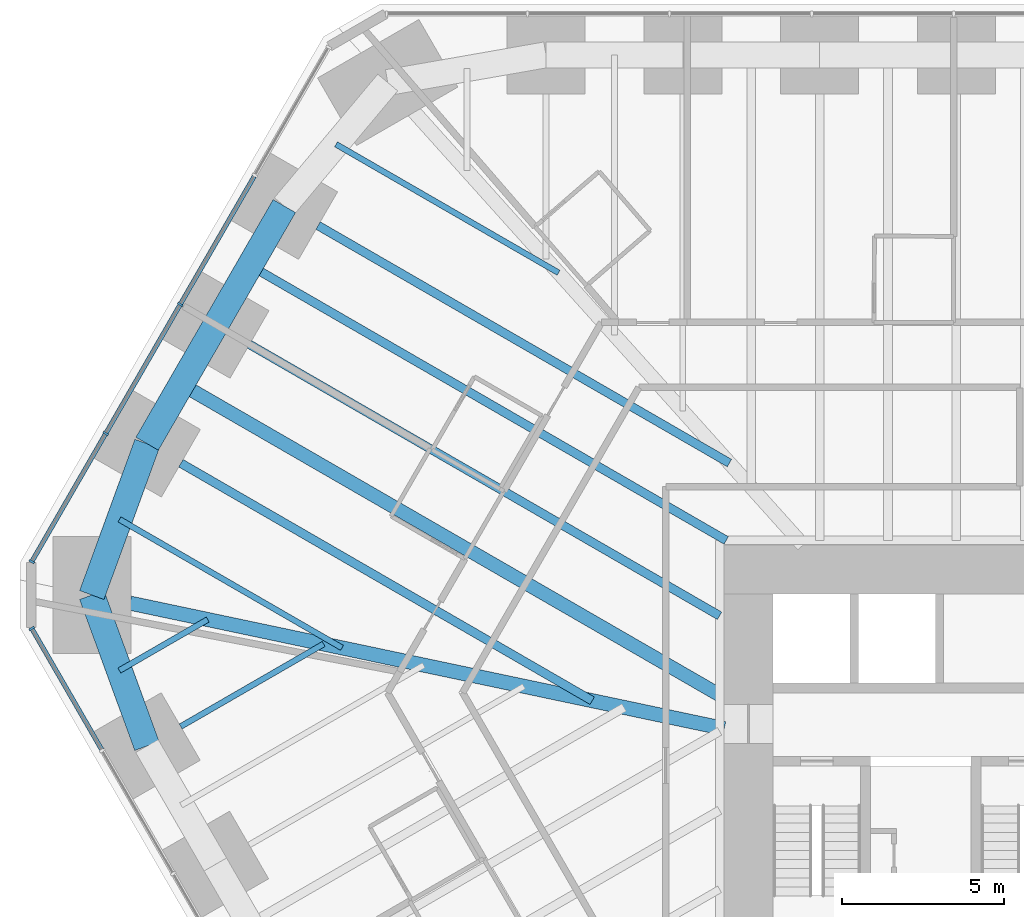
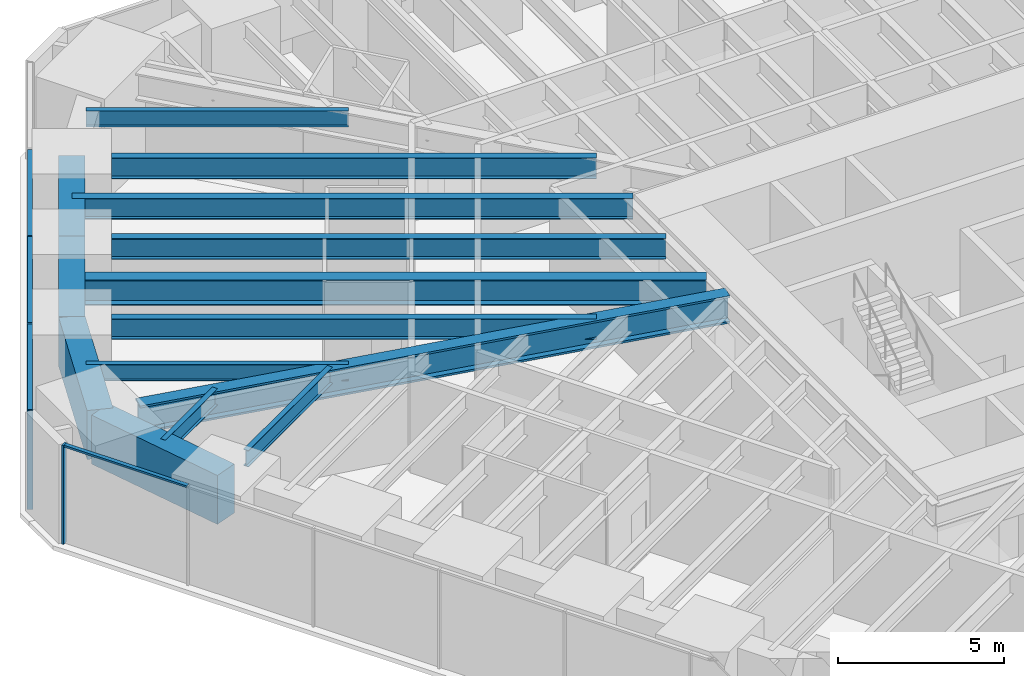
# One storey, part 7 of 17: 14 beams, 8 members, 2 elements without a shape of their own.
"""IFC4 building model written with IfcOpenShell, lengths in metres."""

from ifc_helpers import new_model, si_unit, direction, frame, origin, origin_2d, place, context, subcontext, project, spatial, rectangle, i_section, extrude, material, material_profile, profile_set, type_object, element, aggregate, save


model = new_model("IFC4")

# Units and contexts
model_context = context("Model", 3, precision=1e-05, world=origin(), true_north=direction((0.0, 1.0)))
body_context = subcontext(model_context, "Body", "Model", "MODEL_VIEW")
ifc_project = project(units=[si_unit("LENGTHUNIT", "METRE"), si_unit("AREAUNIT", "SQUARE_METRE"), si_unit("VOLUMEUNIT", "CUBIC_METRE"), si_unit("PLANEANGLEUNIT", "RADIAN"), si_unit("MASSUNIT", "GRAM", prefix="KILO")], contexts=[model_context])

# Site, building, storey
site_placement = place(None, origin())
site = spatial("IfcSite", under=ifc_project, at=site_placement, CompositionType="ELEMENT")
building_placement = place(site_placement, origin())
building = spatial("IfcBuilding", under=site, at=building_placement, Name="Sandreach Pilgrim Tower", CompositionType="ELEMENT")
storey_placement = place(building_placement, frame((0.0, 0.0, 38.199951171875)))
storey = spatial("IfcBuildingStorey", under=building, at=storey_placement, Name="L08", CompositionType="ELEMENT", Elevation=38.199951171875)

# Curtain wall, member
ifc_material_1 = material(Name="Aluminium framed curtain wall", Category="aluminium")
curtain_wall_type = type_object("IfcCurtainWallType", Name="Hostel tower curtain wall", PredefinedType="NOTDEFINED", material=ifc_material_1)
curtain_wall_1_placement = place(storey_placement, origin())
curtain_wall_1 = element("IfcCurtainWall", 1, at=curtain_wall_1_placement, inside=storey, type_object=curtain_wall_type, Name="CW-1 L08 SW", PredefinedType="NOTDEFINED")
ifc_material_2 = material(Name="Aluminium extrusion", Category="aluminium")
ifc_material_profile_1 = material_profile(ifc_material_2, rectangle(XDim=0.06494140625, YDim=0.179931640625, at=origin_2d()), Name="CW-1M 65X180")
ifc_profile_set_1 = profile_set([ifc_material_profile_1], Name="Aluminium extrusion")
member_type_1 = type_object("IfcMemberType", Name="CW-1 mullion", PredefinedType="MULLION", material=ifc_profile_set_1)
member_1_placement = place(storey_placement, frame((-30.56005859375, 5.033935546875, 0.0), z_axis=(0.0, 0.0, 1.0), x_axis=(-0.5, 0.866025403784, 0.0)))
member_1 = element("IfcMember", 2, at=member_1_placement, type_object=member_type_1, Name="CW-1 mullion 10", PredefinedType="MULLION", context=body_context, shape_type="SweptSolid", body=[
    extrude(rectangle(XDim=0.06494140625, YDim=0.179931640625, at=origin_2d()), origin(), (0.0, 0.0, 1.0), 3.64013671875),
])

# Curtain wall, members
curtain_wall_2_placement = place(storey_placement, origin())
curtain_wall_2 = element("IfcCurtainWall", 3, at=curtain_wall_2_placement, inside=storey, type_object=curtain_wall_type, Name="CW-1 L08 NW", PredefinedType="NOTDEFINED")
member_2_placement = place(storey_placement, frame((-30.56005859375, 7.09033203125, 0.0), z_axis=(0.0, 0.0, 1.0), x_axis=(0.5, 0.866025403784, 0.0)))
member_2 = element("IfcMember", 4, at=member_2_placement, type_object=member_type_1, Name="CW-1 mullion 1", PredefinedType="MULLION", context=body_context, shape_type="SweptSolid", body=[
    extrude(rectangle(XDim=0.06494140625, YDim=0.179931640625, at=origin_2d()), origin(), (0.0, 0.0, 1.0), 3.64013671875),
])
member_3_placement = place(storey_placement, frame((-28.283203125, 11.03369140625, 0.0), z_axis=(0.0, 0.0, 1.0), x_axis=(0.5, 0.866025403784, 0.0)))
member_3 = element("IfcMember", 5, at=member_3_placement, type_object=member_type_1, Name="CW-1 mullion 2", PredefinedType="MULLION", context=body_context, shape_type="SweptSolid", body=[
    extrude(rectangle(XDim=0.06494140625, YDim=0.179931640625, at=origin_2d()), origin(), (0.0, 0.0, 1.0), 3.64013671875),
])
member_4_placement = place(storey_placement, frame((-25.990234375, 15.00537109375, 0.0), z_axis=(0.0, 0.0, 1.0), x_axis=(0.5, 0.866025403784, 0.0)))
member_4 = element("IfcMember", 6, at=member_4_placement, type_object=member_type_1, Name="CW-1 mullion 3", PredefinedType="MULLION", context=body_context, shape_type="SweptSolid", body=[
    extrude(rectangle(XDim=0.06494140625, YDim=0.179931640625, at=origin_2d()), origin(), (0.0, 0.0, 1.0), 3.64013671875),
])

# Member
ifc_material_3 = material(Name="Aluminium extrusion", Category="aluminium")
ifc_material_profile_2 = material_profile(ifc_material_3, rectangle(XDim=0.139892578125, YDim=0.070068359375, at=origin_2d()), Name="CW-1T 140X70")
ifc_profile_set_2 = profile_set([ifc_material_profile_2], Name="Aluminium extrusion")
member_type_2 = type_object("IfcMemberType", Name="CW-1 transom", PredefinedType="USERDEFINED", material=ifc_profile_set_2)
member_5_placement = place(storey_placement, frame((-28.40673828125, 1.304443359375, 3.60498046875), z_axis=(-0.499991113271, 0.866030534479, 0.0), x_axis=(-0.866030534479, -0.499991113271, 0.0)))
member_5 = element("IfcMember", 7, at=member_5_placement, type_object=member_type_2, Name="CW-1 head transom 9", ObjectType="TRANSOM", PredefinedType="USERDEFINED", context=body_context, shape_type="SweptSolid", body=[
    extrude(rectangle(XDim=0.139892578125, YDim=0.070068359375, at=origin_2d()), origin(), (0.0, 0.0, 1.0), 4.27392578125),
])

aggregate(curtain_wall_1, [member_1, member_5])

member_6_placement = place(storey_placement, frame((-30.543701171875, 7.118408203125, 3.60498046875), z_axis=(0.499976706761, 0.866038851724, 0.0), x_axis=(-0.866038851724, 0.499976706761, 0.0)))
member_6 = element("IfcMember", 8, at=member_6_placement, type_object=member_type_2, Name="CW-1 head transom 1", ObjectType="TRANSOM", PredefinedType="USERDEFINED", context=body_context, shape_type="SweptSolid", body=[
    extrude(rectangle(XDim=0.139892578125, YDim=0.070068359375, at=origin_2d()), origin(), (0.0, 0.0, 1.0), 4.488525390625),
])

member_7_placement = place(storey_placement, frame((-28.266845703125, 11.06201171875, 3.60498046875), z_axis=(0.500001366228, 0.866024614991, 0.0), x_axis=(-0.866024614991, 0.500001366228, 0.0)))
member_7 = element("IfcMember", 9, at=member_7_placement, type_object=member_type_2, Name="CW-1 head transom 2", ObjectType="TRANSOM", PredefinedType="USERDEFINED", context=body_context, shape_type="SweptSolid", body=[
    extrude(rectangle(XDim=0.139892578125, YDim=0.070068359375, at=origin_2d()), origin(), (0.0, 0.0, 1.0), 4.52099609375),
])

member_8_placement = place(storey_placement, frame((-25.973876953125, 15.03369140625, 3.60498046875), z_axis=(0.500001366228, 0.866024614991, 0.0), x_axis=(-0.866024614991, 0.500001366228, 0.0)))
member_8 = element("IfcMember", 10, at=member_8_placement, type_object=member_type_2, Name="CW-1 head transom 3", ObjectType="TRANSOM", PredefinedType="USERDEFINED", context=body_context, shape_type="SweptSolid", body=[
    extrude(rectangle(XDim=0.139892578125, YDim=0.070068359375, at=origin_2d()), origin(), (0.0, 0.0, 1.0), 4.52099609375),
])

aggregate(curtain_wall_2, [member_2, member_3, member_4, member_6, member_7, member_8])

# Beams
ifc_material_4 = material(Name="Steel ASTM A992 Grade 50", Category="steel")
ifc_material_profile_3 = material_profile(ifc_material_4, i_section(OverallWidth=0.436767578125, OverallDepth=1.010986328125, WebThickness=0.040771484375, FlangeThickness=0.073974609375, at=origin_2d()), Name="W36X529")
ifc_profile_set_3 = profile_set([ifc_material_profile_3], Name="Steel ASTM A992 Grade 50")
beam_type_1 = type_object("IfcBeamType", Name="Corner girder W36X529", PredefinedType="BEAM", material=ifc_profile_set_3)
beam_1_placement = place(storey_placement, frame((-27.53857421875, 5.814208984375, 3.134521484375), z_axis=(0.978429884383, -0.206579189045, 0.0), x_axis=(0.206579189045, 0.978429884383, 0.0)))
element("IfcBeam", 11, at=beam_1_placement, inside=storey, type_object=beam_type_1, Name="BM L08 CG35", PredefinedType="BEAM", context=body_context, shape_type="SweptSolid", body=[
    extrude(i_section(OverallWidth=0.436767578125, OverallDepth=1.010986328125, WebThickness=0.040771484375, FlangeThickness=0.073974609375, at=origin_2d()), origin(), (0.0, 0.0, 1.0), 18.691650390625),
])
ifc_material_5 = material(Name="Steel ASTM A992 Grade 50", Category="steel")
ifc_material_profile_4 = material_profile(ifc_material_5, i_section(OverallWidth=0.1787109375, OverallDepth=0.60205078125, WebThickness=0.010986328125, FlangeThickness=0.014892578125, at=origin_2d()), Name="W24X62")
ifc_profile_set_4 = profile_set([ifc_material_profile_4], Name="Steel ASTM A992 Grade 50")
beam_type_2 = type_object("IfcBeamType", Name="Floor beam W24X62", PredefinedType="BEAM", material=ifc_profile_set_4)
beam_2_placement = place(storey_placement, frame((-25.97705078125, 2.016357421875, 3.339111328125), z_axis=(0.866027897259, 0.49999568115, 0.0), x_axis=(-0.49999568115, 0.866027897259, 0.0)))
element("IfcBeam", 12, at=beam_2_placement, inside=storey, type_object=beam_type_2, Name="BM L08 F34", PredefinedType="BEAM", context=body_context, shape_type="SweptSolid", body=[
    extrude(i_section(OverallWidth=0.1787109375, OverallDepth=0.60205078125, WebThickness=0.010986328125, FlangeThickness=0.014892578125, at=origin_2d()), origin(), (0.0, 0.0, 1.0), 5.0791015625),
])
beam_3_placement = place(storey_placement, frame((-27.864501953125, 3.7392578125, 3.339111328125), z_axis=(0.866023718453, 0.500002919068, 0.0), x_axis=(-0.500002919068, 0.866023718453, 0.0)))
element("IfcBeam", 13, at=beam_3_placement, inside=storey, type_object=beam_type_2, Name="BM L08 FM34", PredefinedType="BEAM", context=body_context, shape_type="SweptSolid", body=[
    extrude(i_section(OverallWidth=0.1787109375, OverallDepth=0.60205078125, WebThickness=0.010986328125, FlangeThickness=0.014892578125, at=origin_2d()), origin(), (0.0, 0.0, 1.0), 3.1396484375),
])
for number, where, z_axis, x_axis, name in (
    (14, (-27.861328125, 8.390380859375, 3.339111328125), (0.866028778003, -0.499994155636, 0.0), (0.499994155636, 0.866028778003, 0.0), "BM L08 FM35"),
    (15, (-21.197021484375, 19.933349609375, 3.339111328125), (0.866028778003, -0.499994155636, 0.0), (0.499994155636, 0.866028778003, 0.0), "BM L08 FM38"),
):
    element("IfcBeam", number, at=place(storey_placement, frame(where, z_axis=z_axis, x_axis=x_axis)), inside=storey, type_object=beam_type_2, Name=name, PredefinedType="BEAM", context=body_context, shape_type="SweptSolid", body=[
        extrude(i_section(OverallWidth=0.1787109375, OverallDepth=0.60205078125, WebThickness=0.010986328125, FlangeThickness=0.014892578125, at=origin_2d()), origin(), (0.0, 0.0, 1.0), 7.90771484375),
    ])
ifc_material_6 = material(Name="Steel ASTM A992 Grade 50", Category="steel")
ifc_material_profile_5 = material_profile(ifc_material_6, i_section(OverallWidth=0.2666015625, OverallDepth=0.761962890625, WebThickness=0.014404296875, FlangeThickness=0.021484375, at=origin_2d()), Name="W30X116")
ifc_profile_set_5 = profile_set([ifc_material_profile_5], Name="Steel ASTM A992 Grade 50")
beam_type_3 = type_object("IfcBeamType", Name="Floor beam W30X116", PredefinedType="BEAM", material=ifc_profile_set_5)
for number, where, z_axis, x_axis, name in (
    (16, (-25.970947265625, 10.118896484375, 3.259033203125), (0.866020355572, -0.500008743658, 0.0), (0.500008743658, 0.866020355572, 0.0), "BM L08 F36"),
    (17, (-21.74853515625, 17.43212890625, 3.259033203125), (0.866020355572, -0.500008743658, 0.0), (0.500008743658, 0.866020355572, 0.0), "BM L08 F38"),
):
    element("IfcBeam", number, at=place(storey_placement, frame(where, z_axis=z_axis, x_axis=x_axis)), inside=storey, type_object=beam_type_3, Name=name, PredefinedType="BEAM", context=body_context, shape_type="SweptSolid", body=[
        extrude(i_section(OverallWidth=0.2666015625, OverallDepth=0.761962890625, WebThickness=0.014404296875, FlangeThickness=0.021484375, at=origin_2d()), origin(), (0.0, 0.0, 1.0), 14.615966796875),
    ])
ifc_material_7 = material(Name="Steel ASTM A992 Grade 50", Category="steel")
ifc_material_profile_6 = material_profile(ifc_material_7, i_section(OverallWidth=0.2666015625, OverallDepth=0.77978515625, WebThickness=0.0166015625, FlangeThickness=0.030029296875, at=origin_2d()), Name="W30X148")
ifc_profile_set_6 = profile_set([ifc_material_profile_6], Name="Steel ASTM A992 Grade 50")
beam_type_4 = type_object("IfcBeamType", Name="Floor beam W30X148", PredefinedType="BEAM", material=ifc_profile_set_6)
beam_4_placement = place(storey_placement, frame((-23.85986328125, 13.775390625, 3.250244140625), z_axis=(0.866031037473, -0.499990242038, 0.0), x_axis=(0.499990242038, 0.866031037473, 0.0)))
element("IfcBeam", 18, at=beam_4_placement, inside=storey, type_object=beam_type_4, Name="BM L08 F37", PredefinedType="BEAM", context=body_context, shape_type="SweptSolid", body=[
    extrude(i_section(OverallWidth=0.2666015625, OverallDepth=0.77978515625, WebThickness=0.0166015625, FlangeThickness=0.030029296875, at=origin_2d()), origin(), (0.0, 0.0, 1.0), 16.704345703125),
])
beam_5_placement = place(storey_placement, frame((-23.843505859375, 16.203857421875, 3.250244140625), z_axis=(0.866027248123, -0.499996805499, 0.0), x_axis=(0.499996805499, 0.866027248123, 0.0)))
element("IfcBeam", 19, at=beam_5_placement, inside=storey, type_object=beam_type_4, Name="BM L08 FM37", PredefinedType="BEAM", context=body_context, shape_type="SweptSolid", body=[
    extrude(i_section(OverallWidth=0.2666015625, OverallDepth=0.77978515625, WebThickness=0.0166015625, FlangeThickness=0.030029296875, at=origin_2d()), origin(), (0.0, 0.0, 1.0), 16.9208984375),
])
ifc_material_8 = material(Name="Steel ASTM A992 Grade 50", Category="steel")
ifc_material_profile_7 = material_profile(ifc_material_8, i_section(OverallWidth=0.419189453125, OverallDepth=0.927001953125, WebThickness=0.019287109375, FlangeThickness=0.031982421875, at=origin_2d()), Name="W36X231")
ifc_profile_set_7 = profile_set([ifc_material_profile_7], Name="Steel ASTM A992 Grade 50")
beam_type_5 = type_object("IfcBeamType", Name="Floor beam W36X231", PredefinedType="BEAM", material=ifc_profile_set_7)
beam_6_placement = place(storey_placement, frame((-25.95458984375, 12.547119140625, 3.176513671875), z_axis=(0.866028474707, -0.499994680968, 0.0), x_axis=(0.499994680968, 0.866028474707, 0.0)))
element("IfcBeam", 20, at=beam_6_placement, inside=storey, type_object=beam_type_5, Name="BM L08 FM36", PredefinedType="BEAM", context=body_context, shape_type="SweptSolid", body=[
    extrude(i_section(OverallWidth=0.419189453125, OverallDepth=0.927001953125, WebThickness=0.019287109375, FlangeThickness=0.031982421875, at=origin_2d()), origin(), (0.0, 0.0, 1.0), 19.123291015625),
])
ifc_material_9 = material(Name="Concrete 10000 psi", Category="concrete")
ifc_material_profile_8 = material_profile(ifc_material_9, rectangle(XDim=0.800048828125, YDim=1.800048828125, at=origin_2d()), Name="RC800X1800")
ifc_profile_set_8 = profile_set([ifc_material_profile_8], Name="Concrete 10000 psi")
beam_type_6 = type_object("IfcBeamType", Name="Spandrel beam RC800X1800", PredefinedType="SPANDREL", material=ifc_profile_set_8)
beam_7_placement = place(storey_placement, frame((-27.016357421875, 1.416259765625, 2.739990234375), z_axis=(-0.342963480301, 0.939348737786, 0.0), x_axis=(-0.939348737786, -0.342963480301, 0.0)))
element("IfcBeam", 21, at=beam_7_placement, inside=storey, type_object=beam_type_6, Name="BM L08 SP34", PredefinedType="SPANDREL", context=body_context, shape_type="SweptSolid", body=[
    extrude(rectangle(XDim=0.800048828125, YDim=1.800048828125, at=origin_2d()), origin(), (0.0, 0.0, 1.0), 4.946044921875),
])
beam_8_placement = place(storey_placement, frame((-28.712646484375, 6.062255859375, 2.739990234375), z_axis=(0.343367552823, 0.939201109278, 0.0), x_axis=(-0.939201109278, 0.343367552823, 0.0)))
element("IfcBeam", 22, at=beam_8_placement, inside=storey, type_object=beam_type_6, Name="BM L08 SP35", PredefinedType="SPANDREL", context=body_context, shape_type="SweptSolid", body=[
    extrude(rectangle(XDim=0.800048828125, YDim=1.800048828125, at=origin_2d()), origin(), (0.0, 0.0, 1.0), 4.9580078125),
])
beam_9_placement = place(storey_placement, frame((-27.01025390625, 10.71875, 2.739990234375), z_axis=(0.500019412692, 0.866014195571, 0.0), x_axis=(-0.866014195571, 0.500019412692, 0.0)))
element("IfcBeam", 23, at=beam_9_placement, inside=storey, type_object=beam_type_6, Name="BM L08 SP36", PredefinedType="SPANDREL", context=body_context, shape_type="SweptSolid", body=[
    extrude(rectangle(XDim=0.800048828125, YDim=1.800048828125, at=origin_2d()), origin(), (0.0, 0.0, 1.0), 4.222412109375),
])
beam_10_placement = place(storey_placement, frame((-24.89892578125, 14.37548828125, 2.739990234375), z_axis=(0.500001084989, 0.866024777365, 0.0), x_axis=(-0.866024777365, 0.500001084989, 0.0)))
element("IfcBeam", 24, at=beam_10_placement, inside=storey, type_object=beam_type_6, Name="BM L08 SP37", PredefinedType="SPANDREL", context=body_context, shape_type="SweptSolid", body=[
    extrude(rectangle(XDim=0.800048828125, YDim=1.800048828125, at=origin_2d()), origin(), (0.0, 0.0, 1.0), 4.22216796875),
])

save(model, "model.ifc")
